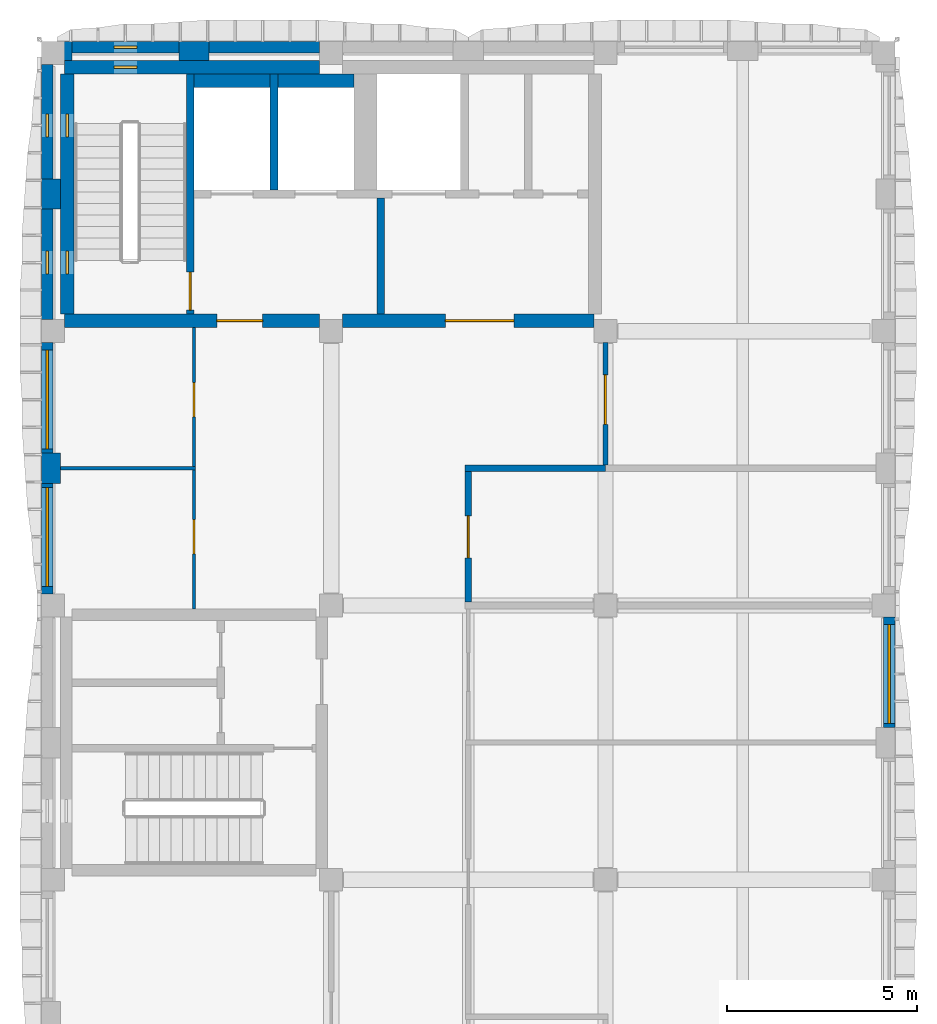
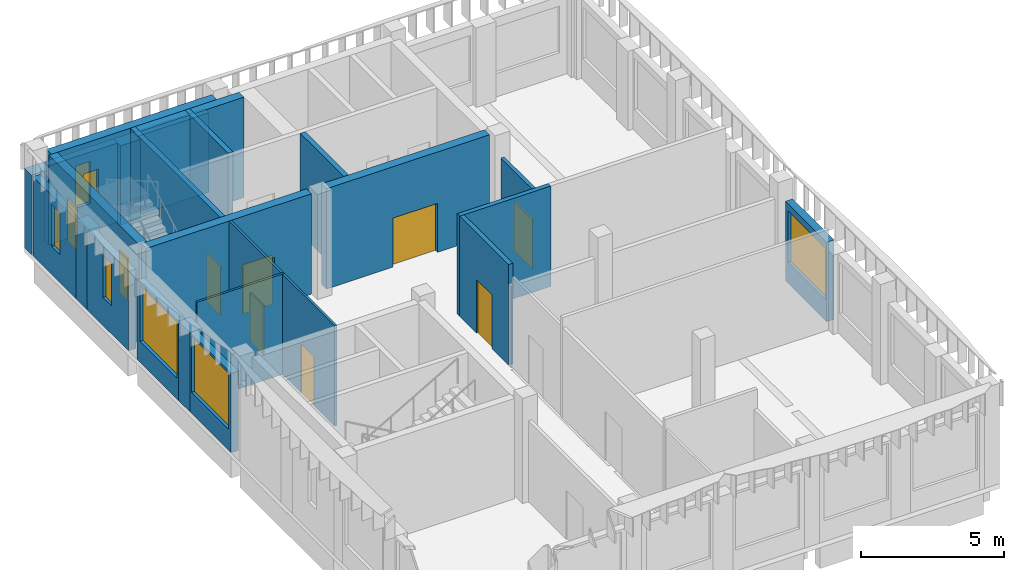
# One storey, part 3 of 10: 26 walls, 9 windows, 7 doors, 16 openings.
"""IFC4 building model written with IfcOpenShell, lengths in metres."""

import ifcopenshell
import ifcopenshell.guid

model = None  # the IFC model being written
_history = None  # IfcOwnerHistory: only IFC2X3 demands one
_inside = {}  # id of a spatial element -> (the spatial element, [elements in it])
_under = {}  # id of a project, library or spatial element -> (it, [spatial elements below it])
_declared = {}  # id of a project -> (the project, [libraries it declares])
_typed = {}  # id of a type object -> (the type object, [elements of that type])
_made_of = {}  # id of a material, layer set ... -> (it, [elements and type objects made of it])


def new_model(schema):
    """Start an empty IFC model of exactly this schema.

    Asked for "IFC4X3", IfcOpenShell would pick the latest addendum, in which some entities
    have other attributes; the version numbers below select the first issue.
    IFC2X3 requires an IfcOwnerHistory on every rooted entity: one is made here for all.
    """
    global model, _history
    if schema == "IFC4X3":
        model = ifcopenshell.file(schema_version=(4, 3, 0, 0))
    else:
        model = ifcopenshell.file(schema=schema)
    _inside.clear()
    _under.clear()
    _declared.clear()
    _typed.clear()
    _made_of.clear()
    _history = None
    if model.schema == "IFC2X3":
        org = make("IfcOrganization", Name="unknown")
        user = make(
            "IfcPersonAndOrganization",
            ThePerson=make("IfcPerson", FamilyName="unknown"),
            TheOrganization=org,
        )
        app = make(
            "IfcApplication",
            ApplicationDeveloper=org,
            Version="unknown",
            ApplicationFullName="unknown",
            ApplicationIdentifier="unknown",
        )
        _history = make(
            "IfcOwnerHistory",
            OwningUser=user,
            OwningApplication=app,
            ChangeAction="ADDED",
            CreationDate=0,
        )
    return model


def make(cls, **values):
    """One entity of the class cls with the attributes given. An attribute that is None is left unset."""
    return model.create_entity(
        cls, **{name: value for name, value in values.items() if value is not None}
    )


def rooted(cls, **values):
    """An entity with a GlobalId (a new one), such as an element, a storey or a relation."""
    return make(cls, GlobalId=ifcopenshell.guid.new(), OwnerHistory=_history, **values)


def si_unit(unit_type, name, prefix=None):
    """IfcSIUnit, for example si_unit("LENGTHUNIT", "METRE", prefix="MILLI")."""
    return make("IfcSIUnit", UnitType=unit_type, Prefix=prefix, Name=name)


def assignment(units):
    """IfcUnitAssignment: the units of a project."""
    return None if units is None else make("IfcUnitAssignment", Units=units)


def point(xyz):
    """IfcCartesianPoint."""
    return None if xyz is None else make("IfcCartesianPoint", Coordinates=xyz)


def direction(xyz):
    """IfcDirection."""
    return None if xyz is None else make("IfcDirection", DirectionRatios=xyz)


def frame(location, z_axis=None, x_axis=None):
    """IfcAxis2Placement3D, a coordinate frame: its origin and axes. An axis left out is left unset."""
    return make(
        "IfcAxis2Placement3D",
        Location=point(location),
        Axis=direction(z_axis),
        RefDirection=direction(x_axis),
    )


def frame_2d(location, x_axis=None):
    """IfcAxis2Placement2D, a coordinate frame in the plane: its origin and x axis."""
    return make(
        "IfcAxis2Placement2D", Location=point(location), RefDirection=direction(x_axis)
    )


def origin():
    """The frame at (0, 0, 0) with its axes left unset."""
    return frame((0.0, 0.0, 0.0))


def place(relative_to, where):
    """IfcLocalPlacement: puts the frame where relative to a parent placement (None: the world)."""
    return make(
        "IfcLocalPlacement", PlacementRelTo=relative_to, RelativePlacement=where
    )


def context(
    kind, dimensions, precision=None, world=None, true_north=None, identifier=None
):
    """IfcGeometricRepresentationContext, for example the 3D "Model" context."""
    return make(
        "IfcGeometricRepresentationContext",
        ContextIdentifier=identifier,
        ContextType=kind,
        CoordinateSpaceDimension=dimensions,
        Precision=precision,
        WorldCoordinateSystem=world,
        TrueNorth=true_north,
    )


def subcontext(parent, identifier, kind, view, scale=None):
    """IfcGeometricRepresentationSubContext, for example "Body" below "Model"."""
    return make(
        "IfcGeometricRepresentationSubContext",
        ContextIdentifier=identifier,
        ContextType=kind,
        ParentContext=parent,
        TargetScale=scale,
        TargetView=view,
    )


def project(units=None, contexts=None):
    """IfcProject with its units and contexts."""
    return rooted(
        "IfcProject",
        Name="project",
        RepresentationContexts=contexts,
        UnitsInContext=assignment(units),
    )


def spatial(cls, under=None, at=None, **own):
    """A site, building, storey or space (cls), placed at a placement, below another one or the project."""
    s = rooted(cls, ObjectPlacement=at, **own)
    if under is not None:
        _under.setdefault(under.id(), (under, []))[1].append(s)
    return s


def profile(cls, at=None, kind="AREA", **sizes):
    """A parametric profile (cls). Its sizes go by their IFC names, for example OverallWidth=200.0."""
    return make(cls, ProfileType=kind, Position=at, **sizes)


def rectangle(**sizes):
    """IfcRectangleProfileDef."""
    return profile("IfcRectangleProfileDef", **sizes)


def extrude(swept, where, along, depth):
    """IfcExtrudedAreaSolid: the profile swept, set in the frame where, extruded along a direction by depth."""
    return make(
        "IfcExtrudedAreaSolid",
        SweptArea=swept,
        Position=where,
        ExtrudedDirection=direction(along),
        Depth=depth,
    )


def shape(context_of_items, identifier, shape_type, items):
    """IfcShapeRepresentation: the items that make up one representation, for example the "Body"."""
    return make(
        "IfcShapeRepresentation",
        ContextOfItems=context_of_items,
        RepresentationIdentifier=identifier,
        RepresentationType=shape_type,
        Items=items,
    )


def material(Name=None, Category=None):
    """IfcMaterial."""
    return make("IfcMaterial", Name=Name, Category=Category)


def layer(
    of_material, thickness, ventilated=None, Name=None, Category=None, Priority=None
):
    """IfcMaterialLayer: one layer of a wall or slab, of a material (None: an air gap)."""
    return make(
        "IfcMaterialLayer",
        Material=of_material,
        LayerThickness=thickness,
        IsVentilated=ventilated,
        Name=Name,
        Category=Category,
        Priority=Priority,
    )


def layer_set(layers, Name=None):
    """IfcMaterialLayerSet."""
    return make("IfcMaterialLayerSet", MaterialLayers=layers, LayerSetName=Name)


def made_of(thing, what):
    """Note that an element or type object is made of a material, layer set ...; save() writes the relation."""
    if what is not None:
        _made_of.setdefault(what.id(), (what, []))[1].append(thing)
    return thing


def type_object(cls, material=None, **own):
    """A type object (cls), such as IfcWallType, which elements share."""
    return made_of(rooted(cls, **own), material)


def element(
    cls,
    number,
    at=None,
    inside=None,
    cuts=None,
    type_object=None,
    material=None,
    context=None,
    identifier="Body",
    shape_type=None,
    held_by="IfcProductDefinitionShape",
    body=None,
    shapes=None,
    **own,
):
    """One element of the class cls, such as IfcWall. Its Tag is "e" and its number.

    at: its placement. inside: the storey or other place that contains it. cuts: it is an
    opening in that element (IfcRelVoidsElement). A single representation is given by context,
    identifier, shape_type and body (its items); several are given by shapes. held_by: the class
    of the entity that holds the representations. save() writes the other relations.
    """
    e = rooted(cls, Tag="e%d" % number, ObjectPlacement=at, **own)
    if body is not None:
        shapes = [shape(context, identifier, shape_type, body)]
    if shapes is not None:
        e.Representation = make(held_by, Representations=shapes)
    if inside is not None:
        _inside.setdefault(inside.id(), (inside, []))[1].append(e)
    if cuts is not None:
        rooted(
            "IfcRelVoidsElement", RelatingBuildingElement=cuts, RelatedOpeningElement=e
        )
    if type_object is not None:
        _typed.setdefault(type_object.id(), (type_object, []))[1].append(e)
    return made_of(e, material)


def fill(opening, filler):
    """IfcRelFillsElement: the door or window that sits in an opening."""
    return rooted(
        "IfcRelFillsElement",
        RelatingOpeningElement=opening,
        RelatedBuildingElement=filler,
    )


def aggregate(whole, parts):
    """IfcRelAggregates: a whole, such as a stair, and the parts it consists of."""
    return rooted("IfcRelAggregates", RelatingObject=whole, RelatedObjects=parts)


def save(model, path):
    """Write the relations noted so far, then the file.

    IfcRelAggregates (storeys below a building ...), IfcRelContainedInSpatialStructure (elements
    in a storey), IfcRelDefinesByType, IfcRelAssociatesMaterial and IfcRelDeclares: one each for
    every whole, place, type object, material and project.
    """
    for whole, parts in _under.values():
        aggregate(whole, parts)
    for where, things in _inside.values():
        rooted(
            "IfcRelContainedInSpatialStructure",
            RelatedElements=things,
            RelatingStructure=where,
        )
    for kind, things in _typed.values():
        rooted("IfcRelDefinesByType", RelatedObjects=things, RelatingType=kind)
    for what, things in _made_of.values():
        rooted("IfcRelAssociatesMaterial", RelatedObjects=things, RelatingMaterial=what)
    for by, libraries in _declared.values():
        rooted("IfcRelDeclares", RelatingContext=by, RelatedDefinitions=libraries)
    model.write(path)


model = new_model("IFC4")

# Units and contexts
model_context = context("Model", 3, precision=1e-05, world=origin(), true_north=direction((0.0, 1.0)))
body_context = subcontext(model_context, "Body", "Model", "MODEL_VIEW")
ifc_project = project(units=[si_unit("LENGTHUNIT", "METRE"), si_unit("AREAUNIT", "SQUARE_METRE"), si_unit("VOLUMEUNIT", "CUBIC_METRE"), si_unit("PLANEANGLEUNIT", "RADIAN"), si_unit("MASSUNIT", "GRAM", prefix="KILO")], contexts=[model_context])

# Site, building, storey
site_placement = place(None, origin())
site = spatial("IfcSite", under=ifc_project, at=site_placement, CompositionType="ELEMENT")
building_placement = place(site_placement, origin())
building = spatial("IfcBuilding", under=site, at=building_placement, Name="Ussher Court Research Institute", CompositionType="ELEMENT")
storey_placement = place(building_placement, frame((0.0, 0.0, 36.89990234375)))
storey = spatial("IfcBuildingStorey", under=building, at=storey_placement, Name="L08", CompositionType="ELEMENT", Elevation=36.89990234375)

# Wall
ifc_material_1 = material(Name="Plasterboard on steel studs with mineral wool", Category="steel")
ifc_layer_1 = layer(ifc_material_1, 0.179931640625)
ifc_layer_set_1 = layer_set([ifc_layer_1], Name="Plasterboard on steel studs with mineral wool")
wall_type_1 = type_object("IfcWallType", Name="Acoustic twin-stud partition 180", PredefinedType="PARTITIONING", material=ifc_layer_set_1)
wall_1_placement = place(storey_placement, frame((92.909912109375, 22.0, 0.0), z_axis=(0.0, 0.0, 1.0), x_axis=(1.0, 0.0, 0.0)))
element("IfcWall", 1, at=wall_1_placement, inside=storey, type_object=wall_type_1, Name="Partition", PredefinedType="PARTITIONING", context=body_context, shape_type="SweptSolid", body=[
    extrude(rectangle(XDim=3.690185546875, YDim=0.179931640625, at=frame_2d((1.84521484375, 0.0))), origin(), (0.0, 0.0, 1.0), 4.300048828125),
])

# Wall, opening, door
wall_2_placement = place(storey_placement, frame((93.0, 21.909912109375, 0.0), z_axis=(0.0, 0.0, 1.0), x_axis=(0.0, -1.0, 0.0)))
wall_2 = element("IfcWall", 2, at=wall_2_placement, inside=storey, type_object=wall_type_1, Name="Partition", PredefinedType="PARTITIONING", context=body_context, shape_type="SweptSolid", body=[
    extrude(rectangle(XDim=3.419921875, YDim=0.179931640625, at=frame_2d((1.7099609375, 0.0))), origin(), (0.0, 0.0, 1.0), 4.300048828125),
])
opening_1_placement = place(wall_2_placement, frame((1.159912109375, 0.0, 0.0)))
opening_1 = element("IfcOpeningElement", 3, at=opening_1_placement, cuts=wall_2, Name="Opening D08013", PredefinedType="OPENING", context=body_context, shape_type="SweptSolid", body=[
    extrude(rectangle(XDim=1.10009765625, YDim=2.300048828125, at=frame_2d((0.550048828125, 1.14990234375))), frame((0.0, 0.10009765625, 0.0), z_axis=(0.0, -1.0, 0.0), x_axis=(1.0, 0.0, 0.0)), (0.0, 0.0, 1.0), 0.199951171875),
])
ifc_material_2 = material(Name="Veneered timber door", Category="wood")
door_type_1 = type_object("IfcDoorType", Name="Seminar room door 1100x2300", OperationType="NOTDEFINED", PredefinedType="DOOR", material=ifc_material_2)
door_1_placement = place(opening_1_placement, origin())
door_1 = element("IfcDoor", 4, at=door_1_placement, inside=storey, type_object=door_type_1, Name="Door D08013", OperationType="SINGLE_SWING_RIGHT", OverallHeight=2.300048828125, OverallWidth=1.10009765625, PredefinedType="DOOR", context=body_context, shape_type="SweptSolid", body=[
    extrude(rectangle(XDim=1.10009765625, YDim=2.300048828125, at=frame_2d((0.550048828125, 1.14990234375))), frame((0.0, 0.02490234375, 0.0), z_axis=(0.0, -1.0, 0.0), x_axis=(1.0, 0.0, 0.0)), (0.0, 0.0, 1.0), 0.050048828125),
])
fill(opening_1, door_1)

# Wall, opening, window
ifc_material_3 = material(Name="Blockwork with cream render", Category="masonry")
ifc_layer_2 = layer(ifc_material_3, 0.300048828125)
ifc_layer_set_2 = layer_set([ifc_layer_2], Name="Blockwork with cream render")
wall_type_2 = type_object("IfcWallType", Name="External wall 300 cream render", PredefinedType="SOLIDWALL", material=ifc_layer_set_2)
wall_3_placement = place(storey_placement, frame((81.949951171875, 18.699951171875, 0.0), z_axis=(0.0, 0.0, 1.0), x_axis=(0.0, 1.0, 0.0)))
wall_3 = element("IfcWall", 5, at=wall_3_placement, inside=storey, type_object=wall_type_2, Name="External wall EW1 L08", PredefinedType="SOLIDWALL", context=body_context, shape_type="SweptSolid", body=[
    extrude(rectangle(XDim=2.900146484375, YDim=0.300048828125, at=frame_2d((1.4501953125, 0.0))), origin(), (0.0, 0.0, 1.0), 3.400146484375),
])
opening_2_placement = place(wall_3_placement, frame((0.199951171875, 0.0, 0.89990234375)))
opening_2 = element("IfcOpeningElement", 6, at=opening_2_placement, cuts=wall_3, Name="Opening W01", PredefinedType="OPENING", context=body_context, shape_type="SweptSolid", body=[
    extrude(rectangle(XDim=2.60009765625, YDim=2.39990234375, at=frame_2d((1.300048828125, 1.199951171875))), frame((0.0, 0.16015625, 0.0), z_axis=(0.0, -1.0, 0.0), x_axis=(1.0, 0.0, 0.0)), (0.0, 0.0, 1.0), 0.320068359375),
])
ifc_material_4 = material(Name="Bronze anodised aluminium with double glazing", Category="aluminium")
window_type_1 = type_object("IfcWindowType", Name="Laboratory bay window 2600x2400", PartitioningType="DOUBLE_PANEL_VERTICAL", PredefinedType="WINDOW", material=ifc_material_4)
window_1_placement = place(opening_2_placement, origin())
window_1 = element("IfcWindow", 7, at=window_1_placement, inside=storey, type_object=window_type_1, Name="Window W01 L08", OverallHeight=2.39990234375, OverallWidth=2.60009765625, PartitioningType="SINGLE_PANEL", PredefinedType="WINDOW", context=body_context, shape_type="SweptSolid", body=[
    extrude(rectangle(XDim=2.60009765625, YDim=2.39990234375, at=frame_2d((1.300048828125, 1.199951171875))), frame((0.0, 0.030029296875, 0.0), z_axis=(0.0, -1.0, 0.0), x_axis=(1.0, 0.0, 0.0)), (0.0, 0.0, 1.0), 0.06005859375),
])
fill(opening_2, window_1)

wall_4_placement = place(storey_placement, frame((81.949951171875, 22.39990234375, 0.0), z_axis=(0.0, 0.0, 1.0), x_axis=(0.0, 1.0, 0.0)))
wall_4 = element("IfcWall", 8, at=wall_4_placement, inside=storey, type_object=wall_type_2, Name="External wall EW1 L08", PredefinedType="SOLIDWALL", context=body_context, shape_type="SweptSolid", body=[
    extrude(rectangle(XDim=2.900146484375, YDim=0.300048828125, at=frame_2d((1.4501953125, 0.0))), origin(), (0.0, 0.0, 1.0), 3.400146484375),
])
opening_3_placement = place(wall_4_placement, frame((0.10009765625, 0.0, 0.89990234375)))
opening_3 = element("IfcOpeningElement", 9, at=opening_3_placement, cuts=wall_4, Name="Opening W01", PredefinedType="OPENING", context=body_context, shape_type="SweptSolid", body=[
    extrude(rectangle(XDim=2.60009765625, YDim=2.39990234375, at=frame_2d((1.300048828125, 1.199951171875))), frame((0.0, 0.16015625, 0.0), z_axis=(0.0, -1.0, 0.0), x_axis=(1.0, 0.0, 0.0)), (0.0, 0.0, 1.0), 0.320068359375),
])
window_2_placement = place(opening_3_placement, origin())
window_2 = element("IfcWindow", 10, at=window_2_placement, inside=storey, type_object=window_type_1, Name="Window W01 L08", OverallHeight=2.39990234375, OverallWidth=2.60009765625, PartitioningType="SINGLE_PANEL", PredefinedType="WINDOW", context=body_context, shape_type="SweptSolid", body=[
    extrude(rectangle(XDim=2.60009765625, YDim=2.39990234375, at=frame_2d((1.300048828125, 1.199951171875))), frame((0.0, 0.030029296875, 0.0), z_axis=(0.0, -1.0, 0.0), x_axis=(1.0, 0.0, 0.0)), (0.0, 0.0, 1.0), 0.06005859375),
])
fill(opening_3, window_2)

wall_5_placement = place(storey_placement, frame((104.050048828125, 18.10009765625, 0.0), z_axis=(0.0, 0.0, 1.0), x_axis=(0.0, -1.0, 0.0)))
wall_5 = element("IfcWall", 11, at=wall_5_placement, inside=storey, type_object=wall_type_2, Name="External wall EW1 L08", PredefinedType="SOLIDWALL", context=body_context, shape_type="SweptSolid", body=[
    extrude(rectangle(XDim=2.900146484375, YDim=0.300048828125, at=frame_2d((1.4501953125, 0.0))), origin(), (0.0, 0.0, 1.0), 3.400146484375),
])
opening_4_placement = place(wall_5_placement, frame((0.199951171875, 0.0, 0.89990234375)))
opening_4 = element("IfcOpeningElement", 12, at=opening_4_placement, cuts=wall_5, Name="Opening W13", PredefinedType="OPENING", context=body_context, shape_type="SweptSolid", body=[
    extrude(rectangle(XDim=2.60009765625, YDim=2.199951171875, at=frame_2d((1.300048828125, 1.10009765625))), frame((0.0, 0.16015625, 0.0), z_axis=(0.0, -1.0, 0.0), x_axis=(1.0, 0.0, 0.0)), (0.0, 0.0, 1.0), 0.320068359375),
])
ifc_material_5 = material(Name="Bronze anodised aluminium with double glazing", Category="aluminium")
window_type_2 = type_object("IfcWindowType", Name="East laboratory window 2600x2200", PartitioningType="DOUBLE_PANEL_VERTICAL", PredefinedType="WINDOW", material=ifc_material_5)
window_3_placement = place(opening_4_placement, origin())
window_3 = element("IfcWindow", 13, at=window_3_placement, inside=storey, type_object=window_type_2, Name="Window W13 L08", OverallHeight=2.199951171875, OverallWidth=2.60009765625, PartitioningType="SINGLE_PANEL", PredefinedType="WINDOW", context=body_context, shape_type="SweptSolid", body=[
    extrude(rectangle(XDim=2.60009765625, YDim=2.199951171875, at=frame_2d((1.300048828125, 1.10009765625))), frame((0.0, 0.030029296875, 0.0), z_axis=(0.0, -1.0, 0.0), x_axis=(1.0, 0.0, 0.0)), (0.0, 0.0, 1.0), 0.06005859375),
])
fill(opening_4, window_3)

ifc_material_6 = material(Name="Limestone facing on blockwork", Category="masonry")
ifc_layer_3 = layer(ifc_material_6, 0.300048828125)
ifc_layer_set_3 = layer_set([ifc_layer_3], Name="Limestone facing on blockwork")
wall_type_3 = type_object("IfcWallType", Name="External wall 300 stair enclosure", PredefinedType="SOLIDWALL", material=ifc_layer_set_3)
wall_6_placement = place(storey_placement, frame((81.949951171875, 25.89990234375, 0.0), z_axis=(0.0, 0.0, 1.0), x_axis=(0.0, 1.0, 0.0)))
wall_6 = element("IfcWall", 14, at=wall_6_placement, inside=storey, type_object=wall_type_3, Name="External wall EW5 L08", PredefinedType="SOLIDWALL", context=body_context, shape_type="SweptSolid", body=[
    extrude(rectangle(XDim=2.900146484375, YDim=0.300048828125, at=frame_2d((1.4501953125, 0.0))), origin(), (0.0, 0.0, 1.0), 3.400146484375),
])
opening_5_placement = place(wall_6_placement, frame((1.199951171875, 0.0, 1.199951171875)))
opening_5 = element("IfcOpeningElement", 15, at=opening_5_placement, cuts=wall_6, Name="Opening W25", PredefinedType="OPENING", context=body_context, shape_type="SweptSolid", body=[
    extrude(rectangle(XDim=0.60009765625, YDim=1.800048828125, at=frame_2d((0.300048828125, 0.89990234375))), frame((0.0, 0.16015625, 0.0), z_axis=(0.0, -1.0, 0.0), x_axis=(1.0, 0.0, 0.0)), (0.0, 0.0, 1.0), 0.320068359375),
])
ifc_material_7 = material(Name="Bronze anodised aluminium with double glazing", Category="aluminium")
window_type_3 = type_object("IfcWindowType", Name="Stair light slot window 600x1800 fire-resisting glazing", PartitioningType="SINGLE_PANEL", PredefinedType="WINDOW", material=ifc_material_7)
window_4_placement = place(opening_5_placement, origin())
window_4 = element("IfcWindow", 16, at=window_4_placement, inside=storey, type_object=window_type_3, Name="Window W25 L08", OverallHeight=1.800048828125, OverallWidth=0.60009765625, PartitioningType="SINGLE_PANEL", PredefinedType="WINDOW", context=body_context, shape_type="SweptSolid", body=[
    extrude(rectangle(XDim=0.60009765625, YDim=1.800048828125, at=frame_2d((0.300048828125, 0.89990234375))), frame((0.0, 0.030029296875, 0.0), z_axis=(0.0, -1.0, 0.0), x_axis=(1.0, 0.0, 0.0)), (0.0, 0.0, 1.0), 0.06005859375),
])
fill(opening_5, window_4)

wall_7_placement = place(storey_placement, frame((81.949951171875, 29.60009765625, 0.0), z_axis=(0.0, 0.0, 1.0), x_axis=(0.0, 1.0, 0.0)))
wall_7 = element("IfcWall", 17, at=wall_7_placement, inside=storey, type_object=wall_type_3, Name="External wall EW5 L08", PredefinedType="SOLIDWALL", context=body_context, shape_type="SweptSolid", body=[
    extrude(rectangle(XDim=3.0, YDim=0.300048828125, at=frame_2d((1.5, 0.0))), origin(), (0.0, 0.0, 1.0), 3.400146484375),
])
opening_6_placement = place(wall_7_placement, frame((1.10009765625, 0.0, 1.199951171875)))
opening_6 = element("IfcOpeningElement", 18, at=opening_6_placement, cuts=wall_7, Name="Opening W25", PredefinedType="OPENING", context=body_context, shape_type="SweptSolid", body=[
    extrude(rectangle(XDim=0.60009765625, YDim=1.800048828125, at=frame_2d((0.300048828125, 0.89990234375))), frame((0.0, 0.16015625, 0.0), z_axis=(0.0, -1.0, 0.0), x_axis=(1.0, 0.0, 0.0)), (0.0, 0.0, 1.0), 0.320068359375),
])
window_5_placement = place(opening_6_placement, origin())
window_5 = element("IfcWindow", 19, at=window_5_placement, inside=storey, type_object=window_type_3, Name="Window W25 L08", OverallHeight=1.800048828125, OverallWidth=0.60009765625, PartitioningType="SINGLE_PANEL", PredefinedType="WINDOW", context=body_context, shape_type="SweptSolid", body=[
    extrude(rectangle(XDim=0.60009765625, YDim=1.800048828125, at=frame_2d((0.300048828125, 0.89990234375))), frame((0.0, 0.030029296875, 0.0), z_axis=(0.0, -1.0, 0.0), x_axis=(1.0, 0.0, 0.0)), (0.0, 0.0, 1.0), 0.06005859375),
])
fill(opening_6, window_5)

wall_8_placement = place(storey_placement, frame((82.60009765625, 33.050048828125, 0.0), z_axis=(0.0, 0.0, 1.0), x_axis=(1.0, 0.0, 0.0)))
wall_8 = element("IfcWall", 20, at=wall_8_placement, inside=storey, type_object=wall_type_3, Name="External wall EW5 L08", PredefinedType="SOLIDWALL", context=body_context, shape_type="SweptSolid", body=[
    extrude(rectangle(XDim=2.7998046875, YDim=0.300048828125, at=frame_2d((1.39990234375, 0.0))), origin(), (0.0, 0.0, 1.0), 3.400146484375),
])
opening_7_placement = place(wall_8_placement, frame((1.10009765625, 0.0, 1.199951171875)))
opening_7 = element("IfcOpeningElement", 21, at=opening_7_placement, cuts=wall_8, Name="Opening W25", PredefinedType="OPENING", context=body_context, shape_type="SweptSolid", body=[
    extrude(rectangle(XDim=0.60009765625, YDim=1.800048828125, at=frame_2d((0.300048828125, 0.89990234375))), frame((0.0, 0.16015625, 0.0), z_axis=(0.0, -1.0, 0.0), x_axis=(1.0, 0.0, 0.0)), (0.0, 0.0, 1.0), 0.320068359375),
])
window_6_placement = place(opening_7_placement, origin())
window_6 = element("IfcWindow", 22, at=window_6_placement, inside=storey, type_object=window_type_3, Name="Window W25 L08", OverallHeight=1.800048828125, OverallWidth=0.60009765625, PartitioningType="SINGLE_PANEL", PredefinedType="WINDOW", context=body_context, shape_type="SweptSolid", body=[
    extrude(rectangle(XDim=0.60009765625, YDim=1.800048828125, at=frame_2d((0.300048828125, 0.89990234375))), frame((0.0, 0.030029296875, 0.0), z_axis=(0.0, -1.0, 0.0), x_axis=(1.0, 0.0, 0.0)), (0.0, 0.0, 1.0), 0.06005859375),
])
fill(opening_7, window_6)

# Wall
wall_9_placement = place(storey_placement, frame((86.199951171875, 33.050048828125, 0.0), z_axis=(0.0, 0.0, 1.0), x_axis=(1.0, 0.0, 0.0)))
element("IfcWall", 23, at=wall_9_placement, inside=storey, type_object=wall_type_3, Name="External wall EW5 L08", PredefinedType="SOLIDWALL", context=body_context, shape_type="SweptSolid", body=[
    extrude(rectangle(XDim=2.900146484375, YDim=0.300048828125, at=frame_2d((1.4501953125, 0.0))), origin(), (0.0, 0.0, 1.0), 3.400146484375),
])

# Wall, opening, door
ifc_material_8 = material(Name="Plastered blockwork", Category="masonry")
ifc_layer_4 = layer(ifc_material_8, 0.139892578125)
ifc_layer_set_4 = layer_set([ifc_layer_4], Name="Plastered blockwork")
wall_type_4 = type_object("IfcWallType", Name="Laboratory blockwork partition 140", PredefinedType="PARTITIONING", material=ifc_layer_set_4)
wall_10_placement = place(storey_placement, frame((96.60009765625, 25.300048828125, 0.0), z_axis=(0.0, 0.0, 1.0), x_axis=(0.0, -1.0, 0.0)))
wall_10 = element("IfcWall", 24, at=wall_10_placement, inside=storey, type_object=wall_type_4, Name="Partition", PredefinedType="PARTITIONING", context=body_context, shape_type="SweptSolid", body=[
    extrude(rectangle(XDim=3.2099609375, YDim=0.139892578125, at=frame_2d((1.60498046875, 0.0))), origin(), (0.0, 0.0, 1.0), 3.47021484375),
])
opening_8_placement = place(wall_10_placement, frame((0.85009765625, 0.0, 0.0)))
opening_8 = element("IfcOpeningElement", 25, at=opening_8_placement, cuts=wall_10, Name="Opening D08017", PredefinedType="OPENING", context=body_context, shape_type="SweptSolid", body=[
    extrude(rectangle(XDim=1.300048828125, YDim=2.10009765625, at=frame_2d((0.64990234375, 1.050048828125))), frame((0.0, 0.080078125, 0.0), z_axis=(0.0, -1.0, 0.0), x_axis=(1.0, 0.0, 0.0)), (0.0, 0.0, 1.0), 0.159912109375),
])
ifc_material_9 = material(Name="Veneered timber door", Category="wood")
door_type_2 = type_object("IfcDoorType", Name="Specimen laboratory door 1300x2100", OperationType="NOTDEFINED", PredefinedType="DOOR", material=ifc_material_9)
door_2_placement = place(opening_8_placement, origin())
door_2 = element("IfcDoor", 26, at=door_2_placement, inside=storey, type_object=door_type_2, Name="Door D08017", OperationType="SINGLE_SWING_LEFT", OverallHeight=2.10009765625, OverallWidth=1.300048828125, PredefinedType="DOOR", context=body_context, shape_type="SweptSolid", body=[
    extrude(rectangle(XDim=1.300048828125, YDim=2.10009765625, at=frame_2d((0.64990234375, 1.050048828125))), frame((0.0, 0.02490234375, 0.0), z_axis=(0.0, -1.0, 0.0), x_axis=(1.0, 0.0, 0.0)), (0.0, 0.0, 1.0), 0.050048828125),
])
fill(opening_8, door_2)

# Walls
ifc_material_10 = material(Name="Blockwork with cream render", Category="masonry")
ifc_layer_5 = layer(ifc_material_10, 0.5)
ifc_layer_set_5 = layer_set([ifc_layer_5], Name="Blockwork with cream render")
wall_type_5 = type_object("IfcWallType", Name="Pier 800x500 cream render", PredefinedType="SOLIDWALL", material=ifc_layer_set_5)
wall_11_placement = place(storey_placement, frame((82.050048828125, 21.60009765625, 0.0), z_axis=(0.0, 0.0, 1.0), x_axis=(0.0, 1.0, 0.0)))
element("IfcWall", 27, at=wall_11_placement, inside=storey, type_object=wall_type_5, Name="Pier PR1 L08", PredefinedType="SOLIDWALL", context=body_context, shape_type="SweptSolid", body=[
    extrude(rectangle(XDim=0.7998046875, YDim=0.5, at=frame_2d((0.39990234375, 0.0))), origin(), (0.0, 0.0, 1.0), 3.400146484375),
])
for number, where, z_axis, x_axis, name in (
    (28, (82.050048828125, 28.800048828125, 0.0), (0.0, 0.0, 1.0), (0.0, 1.0, 0.0), "Pier PR1 L08"),
    (29, (81.800048828125, 32.949951171875, 0.0), (0.0, 0.0, 1.0), (1.0, 0.0, 0.0), "Pier PR1 L08"),
    (30, (85.39990234375, 32.949951171875, 0.0), (0.0, 0.0, 1.0), (1.0, 0.0, 0.0), "Pier PR1 L08"),
):
    element("IfcWall", number, at=place(storey_placement, frame(where, z_axis=z_axis, x_axis=x_axis)), inside=storey, type_object=wall_type_5, Name=name, PredefinedType="SOLIDWALL", context=body_context, shape_type="SweptSolid", body=[
        extrude(rectangle(XDim=0.800048828125, YDim=0.5, at=frame_2d((0.39990234375, 0.0))), origin(), (0.0, 0.0, 1.0), 3.400146484375),
    ])

# Wall, opening, door
ifc_material_11 = material(Name="Concrete C35/45", Category="concrete")
ifc_layer_6 = layer(ifc_material_11, 0.199951171875)
ifc_layer_set_6 = layer_set([ifc_layer_6], Name="Concrete C35/45")
wall_type_6 = type_object("IfcWallType", Name="RC core wall 200", PredefinedType="SHEAR", material=ifc_layer_set_6)
wall_12_placement = place(storey_placement, frame((85.699951171875, 26.050048828125, 0.0), z_axis=(0.0, 0.0, 1.0), x_axis=(0.0, 1.0, 0.0)))
wall_12 = element("IfcWall", 31, at=wall_12_placement, inside=storey, type_object=wall_type_6, Name="Core wall T1", PredefinedType="SHEAR", context=body_context, shape_type="SweptSolid", body=[
    extrude(rectangle(XDim=6.300048828125, YDim=0.199951171875, at=frame_2d((3.14990234375, 0.0))), origin(), (0.0, 0.0, 1.0), 4.300048828125),
])
opening_9_placement = place(wall_12_placement, frame((0.10009765625, 0.0, 0.0)))
opening_9 = element("IfcOpeningElement", 32, at=opening_9_placement, cuts=wall_12, Name="Opening D08001", PredefinedType="OPENING", context=body_context, shape_type="SweptSolid", body=[
    extrude(rectangle(XDim=1.0, YDim=2.10009765625, at=frame_2d((0.5, 1.050048828125))), frame((0.0, 0.10986328125, 0.0), z_axis=(0.0, -1.0, 0.0), x_axis=(1.0, 0.0, 0.0)), (0.0, 0.0, 1.0), 0.219970703125),
])
ifc_material_12 = material(Name="Painted steel faced fire door", Category="steel")
door_type_3 = type_object("IfcDoorType", Name="Fire door 1000x2100 FD60", OperationType="NOTDEFINED", PredefinedType="DOOR", material=ifc_material_12)
door_3_placement = place(opening_9_placement, origin())
door_3 = element("IfcDoor", 33, at=door_3_placement, inside=storey, type_object=door_type_3, Name="Door D08001", OperationType="SINGLE_SWING_LEFT", OverallHeight=2.10009765625, OverallWidth=1.0, PredefinedType="DOOR", context=body_context, shape_type="SweptSolid", body=[
    extrude(rectangle(XDim=1.0, YDim=2.10009765625, at=frame_2d((0.5, 1.050048828125))), frame((0.0, 0.02490234375, 0.0), z_axis=(0.0, -1.0, 0.0), x_axis=(1.0, 0.0, 0.0)), (0.0, 0.0, 1.0), 0.050048828125),
])
fill(opening_9, door_3)

# Walls
for number, where, z_axis, x_axis, name in (
    (34, (90.699951171875, 26.050048828125, 0.0), (0.0, 0.0, 1.0), (0.0, 1.0, 0.0), "Core wall T1"),
    (35, (87.89990234375, 29.300048828125, 0.0), (0.0, 0.0, 1.0), (0.0, 1.0, 0.0), "Core wall T1"),
):
    element("IfcWall", number, at=place(storey_placement, frame(where, z_axis=z_axis, x_axis=x_axis)), inside=storey, type_object=wall_type_6, Name=name, PredefinedType="SHEAR", context=body_context, shape_type="SweptSolid", body=[
        extrude(rectangle(XDim=3.050048828125, YDim=0.199951171875, at=frame_2d((1.52490234375, 0.0))), origin(), (0.0, 0.0, 1.0), 4.300048828125),
    ])

# Wall, opening, door
ifc_material_13 = material(Name="Concrete C35/45", Category="concrete")
ifc_layer_7 = layer(ifc_material_13, 0.35009765625)
ifc_layer_set_7 = layer_set([ifc_layer_7], Name="Concrete C35/45")
wall_type_7 = type_object("IfcWallType", Name="RC core wall 350", PredefinedType="SHEAR", material=ifc_layer_set_7)
wall_13_placement = place(storey_placement, frame((82.39990234375, 25.875, 0.0), z_axis=(0.0, 0.0, 1.0), x_axis=(1.0, 0.0, 0.0)))
wall_13 = element("IfcWall", 36, at=wall_13_placement, inside=storey, type_object=wall_type_7, Name="Core wall T1", PredefinedType="SHEAR", context=body_context, shape_type="SweptSolid", body=[
    extrude(rectangle(XDim=6.7001953125, YDim=0.35009765625, at=frame_2d((3.35009765625, 0.0))), origin(), (0.0, 0.0, 1.0), 4.300048828125),
])
opening_10_placement = place(wall_13_placement, frame((4.0, 0.0, 0.0)))
opening_10 = element("IfcOpeningElement", 37, at=opening_10_placement, cuts=wall_13, Name="Opening D08006", PredefinedType="OPENING", context=body_context, shape_type="SweptSolid", body=[
    extrude(rectangle(XDim=1.199951171875, YDim=2.10009765625, at=frame_2d((0.60009765625, 1.050048828125))), frame((0.0, 0.18505859375, 0.0), z_axis=(0.0, -1.0, 0.0), x_axis=(1.0, 0.0, 0.0)), (0.0, 0.0, 1.0), 0.3701171875),
])
ifc_material_14 = material(Name="Painted steel faced fire door", Category="steel")
door_type_4 = type_object("IfcDoorType", Name="Fire door 1200x2100 FD60", OperationType="NOTDEFINED", PredefinedType="DOOR", material=ifc_material_14)
door_4_placement = place(opening_10_placement, origin())
door_4 = element("IfcDoor", 38, at=door_4_placement, inside=storey, type_object=door_type_4, Name="Door D08006", OperationType="SINGLE_SWING_RIGHT", OverallHeight=2.10009765625, OverallWidth=1.199951171875, PredefinedType="DOOR", context=body_context, shape_type="SweptSolid", body=[
    extrude(rectangle(XDim=1.199951171875, YDim=2.10009765625, at=frame_2d((0.60009765625, 1.050048828125))), frame((0.0, 0.02490234375, 0.0), z_axis=(0.0, -1.0, 0.0), x_axis=(1.0, 0.0, 0.0)), (0.0, 0.0, 1.0), 0.050048828125),
])
fill(opening_10, door_4)

wall_14_placement = place(storey_placement, frame((89.699951171875, 25.875, 0.0), z_axis=(0.0, 0.0, 1.0), x_axis=(1.0, 0.0, 0.0)))
wall_14 = element("IfcWall", 39, at=wall_14_placement, inside=storey, type_object=wall_type_7, Name="Core wall T1", PredefinedType="SHEAR", context=body_context, shape_type="SweptSolid", body=[
    extrude(rectangle(XDim=6.60009765625, YDim=0.35009765625, at=frame_2d((3.300048828125, 0.0))), origin(), (0.0, 0.0, 1.0), 4.300048828125),
])
opening_11_placement = place(wall_14_placement, frame((2.699951171875, 0.0, 0.0)))
opening_11 = element("IfcOpeningElement", 40, at=opening_11_placement, cuts=wall_14, Name="Opening D08014", PredefinedType="OPENING", context=body_context, shape_type="SweptSolid", body=[
    extrude(rectangle(XDim=1.800048828125, YDim=2.10009765625, at=frame_2d((0.89990234375, 1.050048828125))), frame((0.0, 0.18505859375, 0.0), z_axis=(0.0, -1.0, 0.0), x_axis=(1.0, 0.0, 0.0)), (0.0, 0.0, 1.0), 0.3701171875),
])
ifc_material_15 = material(Name="Painted steel faced fire door", Category="steel")
door_type_5 = type_object("IfcDoorType", Name="Fire door 1800x2100 FD60 double leaf", OperationType="DOUBLE_DOOR_SINGLE_SWING", PredefinedType="DOOR", material=ifc_material_15)
door_5_placement = place(opening_11_placement, origin())
door_5 = element("IfcDoor", 41, at=door_5_placement, inside=storey, type_object=door_type_5, Name="Door D08014", OperationType="SINGLE_SWING_LEFT", OverallHeight=2.10009765625, OverallWidth=1.800048828125, PredefinedType="DOOR", context=body_context, shape_type="SweptSolid", body=[
    extrude(rectangle(XDim=1.800048828125, YDim=2.10009765625, at=frame_2d((0.89990234375, 1.050048828125))), frame((0.0, 0.02490234375, 0.0), z_axis=(0.0, -1.0, 0.0), x_axis=(1.0, 0.0, 0.0)), (0.0, 0.0, 1.0), 0.050048828125),
])
fill(opening_11, door_5)

# Wall, opening, window
wall_15_placement = place(storey_placement, frame((82.39990234375, 32.52490234375, 0.0), z_axis=(0.0, 0.0, 1.0), x_axis=(1.0, 0.0, 0.0)))
wall_15 = element("IfcWall", 42, at=wall_15_placement, inside=storey, type_object=wall_type_7, Name="Core wall T1", PredefinedType="SHEAR", context=body_context, shape_type="SweptSolid", body=[
    extrude(rectangle(XDim=6.7001953125, YDim=0.35009765625, at=frame_2d((3.35009765625, 0.0))), origin(), (0.0, 0.0, 1.0), 4.300048828125),
])
opening_12_placement = place(wall_15_placement, frame((1.300048828125, 0.0, 1.199951171875)))
opening_12 = element("IfcOpeningElement", 43, at=opening_12_placement, cuts=wall_15, Name="Opening W25", PredefinedType="OPENING", context=body_context, shape_type="SweptSolid", body=[
    extrude(rectangle(XDim=0.60009765625, YDim=1.800048828125, at=frame_2d((0.300048828125, 0.89990234375))), frame((0.0, 0.18505859375, 0.0), z_axis=(0.0, -1.0, 0.0), x_axis=(1.0, 0.0, 0.0)), (0.0, 0.0, 1.0), 0.3701171875),
])
window_7_placement = place(opening_12_placement, origin())
window_7 = element("IfcWindow", 44, at=window_7_placement, inside=storey, type_object=window_type_3, Name="Window stair light T1 L08", OverallHeight=1.800048828125, OverallWidth=0.60009765625, PartitioningType="SINGLE_PANEL", PredefinedType="WINDOW", context=body_context, shape_type="SweptSolid", body=[
    extrude(rectangle(XDim=0.60009765625, YDim=1.800048828125, at=frame_2d((0.300048828125, 0.89990234375))), frame((0.0, 0.030029296875, 0.0), z_axis=(0.0, -1.0, 0.0), x_axis=(1.0, 0.0, 0.0)), (0.0, 0.0, 1.0), 0.06005859375),
])
fill(opening_12, window_7)

# Wall, openings, windows
wall_16_placement = place(storey_placement, frame((82.47509765625, 26.050048828125, 0.0), z_axis=(0.0, 0.0, 1.0), x_axis=(0.0, 1.0, 0.0)))
wall_16 = element("IfcWall", 45, at=wall_16_placement, inside=storey, type_object=wall_type_7, Name="Core wall T1", PredefinedType="SHEAR", context=body_context, shape_type="SweptSolid", body=[
    extrude(rectangle(XDim=6.300048828125, YDim=0.35009765625, at=frame_2d((3.14990234375, 0.0))), origin(), (0.0, 0.0, 1.0), 4.300048828125),
])
opening_13_placement = place(wall_16_placement, frame((1.050048828125, 0.0, 1.199951171875)))
opening_13 = element("IfcOpeningElement", 46, at=opening_13_placement, cuts=wall_16, Name="Opening W25", PredefinedType="OPENING", context=body_context, shape_type="SweptSolid", body=[
    extrude(rectangle(XDim=0.60009765625, YDim=1.800048828125, at=frame_2d((0.300048828125, 0.89990234375))), frame((0.0, 0.18505859375, 0.0), z_axis=(0.0, -1.0, 0.0), x_axis=(1.0, 0.0, 0.0)), (0.0, 0.0, 1.0), 0.3701171875),
])
opening_14_placement = place(wall_16_placement, frame((4.64990234375, 0.0, 1.199951171875)))
opening_14 = element("IfcOpeningElement", 47, at=opening_14_placement, cuts=wall_16, Name="Opening W25", PredefinedType="OPENING", context=body_context, shape_type="SweptSolid", body=[
    extrude(rectangle(XDim=0.60009765625, YDim=1.800048828125, at=frame_2d((0.300048828125, 0.89990234375))), frame((0.0, 0.18505859375, 0.0), z_axis=(0.0, -1.0, 0.0), x_axis=(1.0, 0.0, 0.0)), (0.0, 0.0, 1.0), 0.3701171875),
])
window_8_placement = place(opening_13_placement, origin())
window_8 = element("IfcWindow", 48, at=window_8_placement, inside=storey, type_object=window_type_3, Name="Window stair light T1 L08", OverallHeight=1.800048828125, OverallWidth=0.60009765625, PartitioningType="SINGLE_PANEL", PredefinedType="WINDOW", context=body_context, shape_type="SweptSolid", body=[
    extrude(rectangle(XDim=0.60009765625, YDim=1.800048828125, at=frame_2d((0.300048828125, 0.89990234375))), frame((0.0, 0.030029296875, 0.0), z_axis=(0.0, -1.0, 0.0), x_axis=(1.0, 0.0, 0.0)), (0.0, 0.0, 1.0), 0.06005859375),
])
fill(opening_13, window_8)
window_9_placement = place(opening_14_placement, origin())
window_9 = element("IfcWindow", 49, at=window_9_placement, inside=storey, type_object=window_type_3, Name="Window stair light T1 L08", OverallHeight=1.800048828125, OverallWidth=0.60009765625, PartitioningType="SINGLE_PANEL", PredefinedType="WINDOW", context=body_context, shape_type="SweptSolid", body=[
    extrude(rectangle(XDim=0.60009765625, YDim=1.800048828125, at=frame_2d((0.300048828125, 0.89990234375))), frame((0.0, 0.030029296875, 0.0), z_axis=(0.0, -1.0, 0.0), x_axis=(1.0, 0.0, 0.0)), (0.0, 0.0, 1.0), 0.06005859375),
])
fill(opening_14, window_9)

# Walls
for number, where, z_axis, x_axis, name in (
    (50, (85.800048828125, 32.175048828125, 0.0), (0.0, 0.0, 1.0), (1.0, 0.0, 0.0), "Core wall T1"),
    (51, (88.0, 32.175048828125, 0.0), (0.0, 0.0, 1.0), (1.0, 0.0, 0.0), "Core wall T1"),
):
    element("IfcWall", number, at=place(storey_placement, frame(where, z_axis=z_axis, x_axis=x_axis)), inside=storey, type_object=wall_type_7, Name=name, PredefinedType="SHEAR", context=body_context, shape_type="SweptSolid", body=[
        extrude(rectangle(XDim=2.0, YDim=0.35009765625, at=frame_2d((1.0, 0.0))), origin(), (0.0, 0.0, 1.0), 4.300048828125),
    ])
ifc_material_16 = material(Name="Moisture-resistant board on steel studs", Category="steel")
ifc_layer_8 = layer(ifc_material_16, 0.090087890625)
ifc_layer_set_8 = layer_set([ifc_layer_8], Name="Moisture-resistant board on steel studs")
wall_type_8 = type_object("IfcWallType", Name="WC lining partition 90", PredefinedType="PARTITIONING", material=ifc_layer_set_8)
wall_17_placement = place(storey_placement, frame((82.300048828125, 22.0, 0.0), z_axis=(0.0, 0.0, 1.0), x_axis=(1.0, 0.0, 0.0)))
element("IfcWall", 52, at=wall_17_placement, inside=storey, type_object=wall_type_8, Name="Partition", PredefinedType="PARTITIONING", context=body_context, shape_type="SweptSolid", body=[
    extrude(rectangle(XDim=3.544921875, YDim=0.090087890625, at=frame_2d((1.7724609375, 0.0))), origin(), (0.0, 0.0, 1.0), 4.300048828125),
])

# Wall, opening, door
wall_18_placement = place(storey_placement, frame((85.800048828125, 18.300048828125, 0.0), z_axis=(0.0, 0.0, 1.0), x_axis=(0.0, 1.0, 0.0)))
wall_18 = element("IfcWall", 53, at=wall_18_placement, inside=storey, type_object=wall_type_8, Name="Partition", PredefinedType="PARTITIONING", context=body_context, shape_type="SweptSolid", body=[
    extrude(rectangle(XDim=3.655029296875, YDim=0.090087890625, at=frame_2d((1.82763671875, 0.0))), origin(), (0.0, 0.0, 1.0), 4.300048828125),
])
opening_15_placement = place(wall_18_placement, frame((1.449951171875, 0.0, 0.0)))
opening_15 = element("IfcOpeningElement", 54, at=opening_15_placement, cuts=wall_18, Name="Opening D08002", PredefinedType="OPENING", context=body_context, shape_type="SweptSolid", body=[
    extrude(rectangle(XDim=0.89990234375, YDim=2.10009765625, at=frame_2d((0.449951171875, 1.050048828125))), frame((0.0, 0.05517578125, 0.0), z_axis=(0.0, -1.0, 0.0), x_axis=(1.0, 0.0, 0.0)), (0.0, 0.0, 1.0), 0.110107421875),
])
ifc_material_17 = material(Name="Veneered timber door", Category="wood")
door_type_6 = type_object("IfcDoorType", Name="WC door 900x2100", OperationType="NOTDEFINED", PredefinedType="DOOR", material=ifc_material_17)
door_6_placement = place(opening_15_placement, origin())
door_6 = element("IfcDoor", 55, at=door_6_placement, inside=storey, type_object=door_type_6, Name="Door D08002", OperationType="SINGLE_SWING_RIGHT", OverallHeight=2.10009765625, OverallWidth=0.89990234375, PredefinedType="DOOR", context=body_context, shape_type="SweptSolid", body=[
    extrude(rectangle(XDim=0.89990234375, YDim=2.10009765625, at=frame_2d((0.449951171875, 1.050048828125))), frame((0.0, 0.02490234375, 0.0), z_axis=(0.0, -1.0, 0.0), x_axis=(1.0, 0.0, 0.0)), (0.0, 0.0, 1.0), 0.050048828125),
])
fill(opening_15, door_6)

wall_19_placement = place(storey_placement, frame((85.800048828125, 22.044921875, 0.0), z_axis=(0.0, 0.0, 1.0), x_axis=(0.0, 1.0, 0.0)))
wall_19 = element("IfcWall", 56, at=wall_19_placement, inside=storey, type_object=wall_type_8, Name="Partition", PredefinedType="PARTITIONING", context=body_context, shape_type="SweptSolid", body=[
    extrude(rectangle(XDim=3.655029296875, YDim=0.090087890625, at=frame_2d((1.82763671875, 0.0))), origin(), (0.0, 0.0, 1.0), 4.300048828125),
])
opening_16_placement = place(wall_19_placement, frame((1.304931640625, 0.0, 0.0)))
opening_16 = element("IfcOpeningElement", 57, at=opening_16_placement, cuts=wall_19, Name="Opening D08003", PredefinedType="OPENING", context=body_context, shape_type="SweptSolid", body=[
    extrude(rectangle(XDim=0.89990234375, YDim=2.10009765625, at=frame_2d((0.449951171875, 1.050048828125))), frame((0.0, 0.05517578125, 0.0), z_axis=(0.0, -1.0, 0.0), x_axis=(1.0, 0.0, 0.0)), (0.0, 0.0, 1.0), 0.110107421875),
])
door_7_placement = place(opening_16_placement, origin())
door_7 = element("IfcDoor", 58, at=door_7_placement, inside=storey, type_object=door_type_6, Name="Door D08003", OperationType="SINGLE_SWING_LEFT", OverallHeight=2.10009765625, OverallWidth=0.89990234375, PredefinedType="DOOR", context=body_context, shape_type="SweptSolid", body=[
    extrude(rectangle(XDim=0.89990234375, YDim=2.10009765625, at=frame_2d((0.449951171875, 1.050048828125))), frame((0.0, 0.02490234375, 0.0), z_axis=(0.0, -1.0, 0.0), x_axis=(1.0, 0.0, 0.0)), (0.0, 0.0, 1.0), 0.050048828125),
])
fill(opening_16, door_7)

save(model, "model.ifc")
